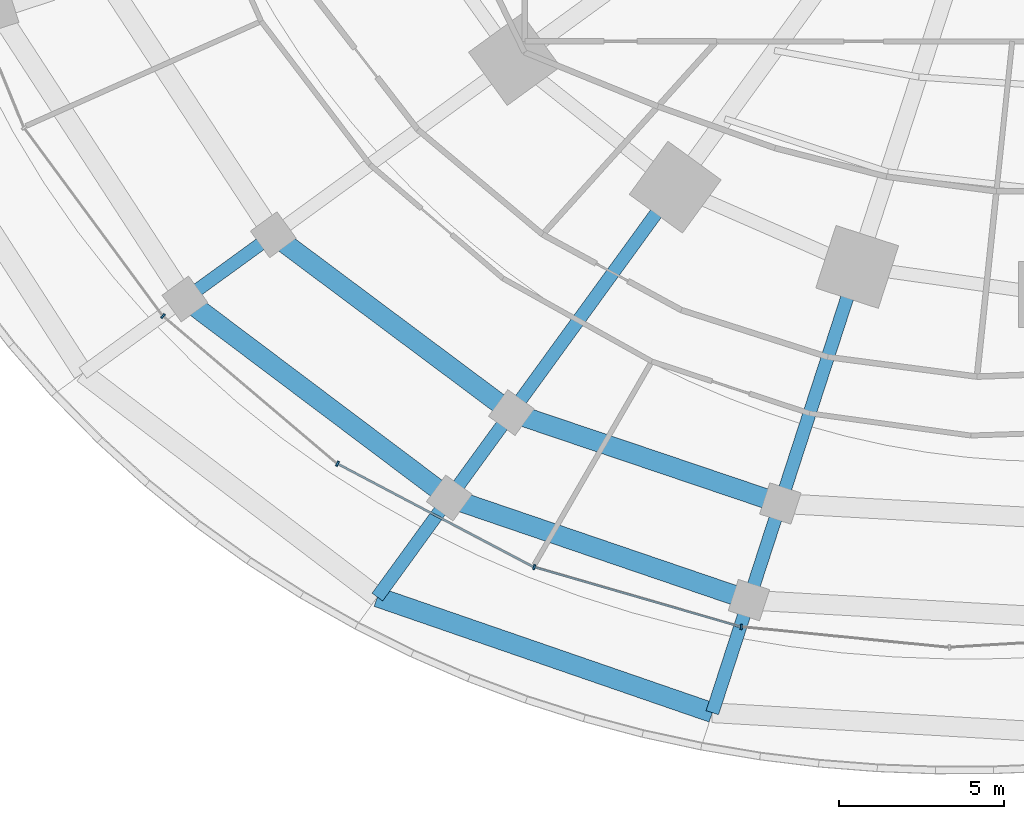
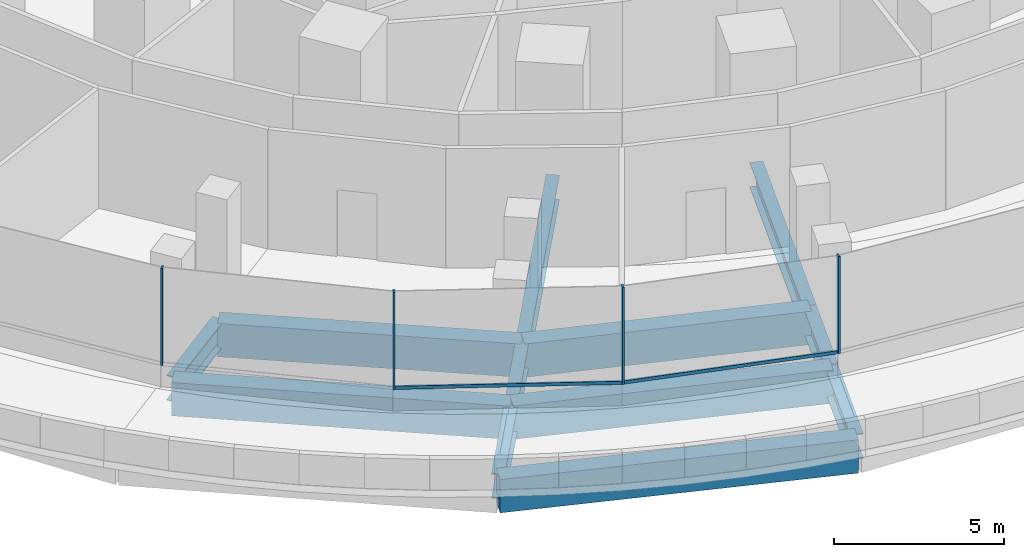
# One storey, part 2 of 27: 12 beams, 6 members, 2 elements without a shape of their own.
"""IFC4 building model written with IfcOpenShell, lengths in metres."""

from ifc_helpers import new_model, si_unit, direction, frame, origin, origin_2d, place, context, subcontext, project, spatial, rectangle, i_section, extrude, material, material_profile, profile_set, type_object, element, aggregate, save


model = new_model("IFC4")

# Units and contexts
model_context = context("Model", 3, precision=1e-05, world=origin(), true_north=direction((0.0, 1.0)))
body_context = subcontext(model_context, "Body", "Model", "MODEL_VIEW")
ifc_project = project(units=[si_unit("LENGTHUNIT", "METRE"), si_unit("AREAUNIT", "SQUARE_METRE"), si_unit("VOLUMEUNIT", "CUBIC_METRE"), si_unit("PLANEANGLEUNIT", "RADIAN"), si_unit("MASSUNIT", "GRAM", prefix="KILO")], contexts=[model_context])

# Site, building, storey
site_placement = place(None, origin())
site = spatial("IfcSite", under=ifc_project, at=site_placement, CompositionType="ELEMENT")
building_placement = place(site_placement, origin())
building = spatial("IfcBuilding", under=site, at=building_placement, Name="Marramba Exchange Tower", CompositionType="ELEMENT")
storey_placement = place(building_placement, frame((0.0, 0.0, 10.60009765625)))
storey = spatial("IfcBuildingStorey", under=building, at=storey_placement, Name="L02", CompositionType="ELEMENT", Elevation=10.60009765625)

# Beams
ifc_material_1 = material(Name="Concrete N50", Category="concrete")
ifc_material_profile_1 = material_profile(ifc_material_1, rectangle(XDim=0.60009765625, YDim=1.199951171875, at=origin_2d()), Name="RC 600x1200")
ifc_profile_set_1 = profile_set([ifc_material_profile_1], Name="Concrete N50")
beam_type_1 = type_object("IfcBeamType", Name="Edge beam RC 600x1200 N50", PredefinedType="SPANDREL", material=ifc_profile_set_1)
beam_1_placement = place(storey_placement, frame((-20.482666015625, -28.19189453125, -0.85009765625), z_axis=(0.945263321131, -0.326308525364, 0.0), x_axis=(0.326308525364, 0.945263321131, 0.0)))
element("IfcBeam", 1, at=beam_1_placement, inside=storey, type_object=beam_type_1, Name="Edge beam L02 P1C14", PredefinedType="SPANDREL", context=body_context, shape_type="SweptSolid", body=[
    extrude(rectangle(XDim=0.60009765625, YDim=1.199951171875, at=origin_2d()), origin(), (0.0, 0.0, 1.0), 10.770263671875),
])
beam_2_placement = place(storey_placement, frame((-26.33203125, -19.13134765625, -0.800048828125), z_axis=(0.799014535073, -0.601311710132, 0.0), x_axis=(0.601311710132, 0.799014535073, 0.0)))
element("IfcBeam", 2, at=beam_2_placement, inside=storey, type_object=beam_type_1, Name="Edge beam L02 P2C13", PredefinedType="SPANDREL", context=body_context, shape_type="SweptSolid", body=[
    extrude(rectangle(XDim=0.60009765625, YDim=1.199951171875, at=origin_2d()), origin(), (0.0, 0.0, 1.0), 10.059326171875),
])
beam_3_placement = place(storey_placement, frame((-18.29443359375, -25.18017578125, -0.800048828125), z_axis=(0.946485697002, -0.322745759649, 0.0), x_axis=(0.322745759649, 0.946485697002, 0.0)))
element("IfcBeam", 3, at=beam_3_placement, inside=storey, type_object=beam_type_1, Name="Edge beam L02 P2C14", PredefinedType="SPANDREL", context=body_context, shape_type="SweptSolid", body=[
    extrude(rectangle(XDim=0.60009765625, YDim=1.199951171875, at=origin_2d()), origin(), (0.0, 0.0, 1.0), 9.618896484375),
])
beam_4_placement = place(storey_placement, frame((-23.644775390625, -17.178955078125, -0.800048828125), z_axis=(0.801143536075, -0.598472250489, 0.0), x_axis=(0.598472250489, 0.801143536075, 0.0)))
element("IfcBeam", 4, at=beam_4_placement, inside=storey, type_object=beam_type_1, Name="Edge beam L02 P3C13", PredefinedType="SPANDREL", context=body_context, shape_type="SweptSolid", body=[
    extrude(rectangle(XDim=0.60009765625, YDim=1.199951171875, at=origin_2d()), origin(), (0.0, 0.0, 1.0), 9.0322265625),
])
beam_5_placement = place(storey_placement, frame((-16.40869140625, -22.58447265625, -0.800048828125), z_axis=(0.947330534482, -0.320257487715, 0.0), x_axis=(0.320257487715, 0.947330534482, 0.0)))
element("IfcBeam", 5, at=beam_5_placement, inside=storey, type_object=beam_type_1, Name="Edge beam L02 P3C14", PredefinedType="SPANDREL", context=body_context, shape_type="SweptSolid", body=[
    extrude(rectangle(XDim=0.60009765625, YDim=1.199951171875, at=origin_2d()), origin(), (0.0, 0.0, 1.0), 8.627197265625),
])

# Curtain wall, members
ifc_material_2 = material(Name="Aluminium framing, bronze anodised", Category="aluminium")
curtain_wall_type = type_object("IfcCurtainWallType", Name="Podium ribbon curtain wall", PredefinedType="USERDEFINED", material=ifc_material_2)
curtain_wall_1_placement = place(storey_placement, origin())
curtain_wall_1 = element("IfcCurtainWall", 6, at=curtain_wall_1_placement, inside=storey, type_object=curtain_wall_type, Name="Curtain wall CW2 L02 F16-F20", ObjectType="RIBBON CURTAIN WALL", PredefinedType="USERDEFINED")
ifc_material_3 = material(Name="Aluminium mullion, bronze anodised", Category="aluminium")
ifc_material_profile_2 = material_profile(ifc_material_3, rectangle(XDim=0.159912109375, YDim=0.06005859375, at=origin_2d()), Name="CW2 mullion 60x160")
ifc_profile_set_2 = profile_set([ifc_material_profile_2], Name="Aluminium mullion, bronze anodised")
member_type_1 = type_object("IfcMemberType", Name="Podium ribbon curtain wall mullion", PredefinedType="MULLION", material=ifc_profile_set_2)
member_1_placement = place(storey_placement, frame((-26.996826171875, -19.650390625, 0.7998046875), z_axis=(0.0, 0.0, 1.0), x_axis=(0.646819349814, 0.762643251269, 0.0)))
member_1 = element("IfcMember", 7, at=member_1_placement, type_object=member_type_1, Name="CW2 mullion 1", PredefinedType="MULLION", context=body_context, shape_type="SweptSolid", body=[
    extrude(rectangle(XDim=0.159912109375, YDim=0.06005859375, at=origin_2d()), origin(), (0.0, 0.0, 1.0), 3.5),
])
member_2_placement = place(storey_placement, frame((-21.695068359375, -24.13818359375, 0.7998046875), z_axis=(0.0, 0.0, 1.0), x_axis=(0.465930364021, 0.88482139208, 0.0)))
member_2 = element("IfcMember", 8, at=member_2_placement, type_object=member_type_1, Name="CW2 mullion 1", PredefinedType="MULLION", context=body_context, shape_type="SweptSolid", body=[
    extrude(rectangle(XDim=0.159912109375, YDim=0.06005859375, at=origin_2d()), origin(), (0.0, 0.0, 1.0), 3.5),
])

curtain_wall_2_placement = place(storey_placement, origin())
curtain_wall_2 = element("IfcCurtainWall", 9, at=curtain_wall_2_placement, inside=storey, type_object=curtain_wall_type, Name="Curtain wall CW2 L02 F21-F24", ObjectType="RIBBON CURTAIN WALL", PredefinedType="USERDEFINED")
member_3_placement = place(storey_placement, frame((-15.71630859375, -27.27978515625, 0.7998046875), z_axis=(0.0, 0.0, 1.0), x_axis=(0.278075301482, 0.96055927808, 0.0)))
member_3 = element("IfcMember", 10, at=member_3_placement, type_object=member_type_1, Name="CW2 mullion 1", PredefinedType="MULLION", context=body_context, shape_type="SweptSolid", body=[
    extrude(rectangle(XDim=0.159912109375, YDim=0.06005859375, at=origin_2d()), origin(), (0.0, 0.0, 1.0), 3.5),
])
member_4_placement = place(storey_placement, frame((-9.423095703125, -29.095947265625, 0.7998046875), z_axis=(0.0, 0.0, 1.0), x_axis=(0.098937491458, 0.995093650258, 0.0)))
member_4 = element("IfcMember", 11, at=member_4_placement, type_object=member_type_1, Name="CW2 mullion 1", PredefinedType="MULLION", context=body_context, shape_type="SweptSolid", body=[
    extrude(rectangle(XDim=0.159912109375, YDim=0.06005859375, at=origin_2d()), origin(), (0.0, 0.0, 1.0), 3.5),
])

# Member
ifc_material_4 = material(Name="Aluminium transom, bronze anodised", Category="aluminium")
ifc_material_profile_3 = material_profile(ifc_material_4, rectangle(XDim=0.06005859375, YDim=0.1201171875, at=origin_2d()), Name="CW2 transom 60x120")
ifc_profile_set_3 = profile_set([ifc_material_profile_3], Name="Aluminium transom, bronze anodised")
member_type_2 = type_object("IfcMemberType", Name="Podium ribbon curtain wall transom", PredefinedType="USERDEFINED", material=ifc_profile_set_3)
member_5_placement = place(storey_placement, frame((-21.66845703125, -24.15234375, 0.829833984375), z_axis=(0.884820107241, -0.465932803978, 0.0), x_axis=(0.465932803978, 0.884820107241, 0.0)))
member_5 = element("IfcMember", 12, at=member_5_placement, type_object=member_type_2, Name="CW2 sill transom", ObjectType="TRANSOM", PredefinedType="USERDEFINED", context=body_context, shape_type="SweptSolid", body=[
    extrude(rectangle(XDim=0.06005859375, YDim=0.1201171875, at=origin_2d()), origin(), (0.0, 0.0, 1.0), 6.6943359375),
])

aggregate(curtain_wall_1, [member_1, member_2, member_5])

member_6_placement = place(storey_placement, frame((-15.6875, -27.2880859375, 0.829833984375), z_axis=(0.960557125788, -0.278082736067, 0.0), x_axis=(0.278082736067, 0.960557125788, 0.0)))
member_6 = element("IfcMember", 13, at=member_6_placement, type_object=member_type_2, Name="CW2 sill transom", ObjectType="TRANSOM", PredefinedType="USERDEFINED", context=body_context, shape_type="SweptSolid", body=[
    extrude(rectangle(XDim=0.06005859375, YDim=0.1201171875, at=origin_2d()), origin(), (0.0, 0.0, 1.0), 6.49072265625),
])

aggregate(curtain_wall_2, [member_3, member_6, member_4])

# Beams
ifc_material_5 = material(Name="Steel AS/NZS 3679.2 grade 300", Category="steel")
ifc_material_profile_4 = material_profile(ifc_material_5, i_section(OverallWidth=0.39990234375, OverallDepth=0.89990234375, WebThickness=0.01611328125, FlangeThickness=0.031982421875, at=origin_2d()), Name="900WB282")
ifc_profile_set_4 = profile_set([ifc_material_profile_4], Name="Steel AS/NZS 3679.2 grade 300")
beam_type_2 = type_object("IfcBeamType", Name="Radial girder 900WB282", PredefinedType="BEAM", material=ifc_profile_set_4)
beam_6_placement = place(storey_placement, frame((-20.482666015625, -28.19189453125, -0.7001953125), z_axis=(0.587801192771, 0.809005412699, 0.0), x_axis=(-0.809005412699, 0.587801192771, 0.0)))
element("IfcBeam", 14, at=beam_6_placement, inside=storey, type_object=beam_type_2, Name="Radial girder L02 P1C14", PredefinedType="BEAM", context=body_context, shape_type="SweptSolid", body=[
    extrude(i_section(OverallWidth=0.39990234375, OverallDepth=0.89990234375, WebThickness=0.01611328125, FlangeThickness=0.031982421875, at=origin_2d()), origin(), (0.0, 0.0, 1.0), 3.72265625),
])
beam_7_placement = place(storey_placement, frame((-10.302001953125, -31.706298828125, -0.7001953125), z_axis=(0.309032367287, 0.951051521196, 0.0), x_axis=(-0.951051521196, 0.309032367287, 0.0)))
element("IfcBeam", 15, at=beam_7_placement, inside=storey, type_object=beam_type_2, Name="Radial girder L02 P1C15", PredefinedType="BEAM", context=body_context, shape_type="SweptSolid", body=[
    extrude(i_section(OverallWidth=0.39990234375, OverallDepth=0.89990234375, WebThickness=0.01611328125, FlangeThickness=0.031982421875, at=origin_2d()), origin(), (0.0, 0.0, 1.0), 3.59765625),
])
beam_8_placement = place(storey_placement, frame((-26.33203125, -19.13134765625, -0.650146484375), z_axis=(0.809018867973, 0.587782673497, 0.0), x_axis=(-0.587782673497, 0.809018867973, 0.0)))
element("IfcBeam", 16, at=beam_8_placement, inside=storey, type_object=beam_type_2, Name="Radial girder L02 P2C13", PredefinedType="BEAM", context=body_context, shape_type="SweptSolid", body=[
    extrude(i_section(OverallWidth=0.39990234375, OverallDepth=0.89990234375, WebThickness=0.01611328125, FlangeThickness=0.031982421875, at=origin_2d()), origin(), (0.0, 0.0, 1.0), 3.321533203125),
])
beam_9_placement = place(storey_placement, frame((-18.29443359375, -25.18017578125, -0.650146484375), z_axis=(0.587755361263, 0.809038710635, 0.0), x_axis=(-0.809038710635, 0.587755361263, 0.0)))
element("IfcBeam", 17, at=beam_9_placement, inside=storey, type_object=beam_type_2, Name="Radial girder L02 P2C14", PredefinedType="BEAM", context=body_context, shape_type="SweptSolid", body=[
    extrude(i_section(OverallWidth=0.39990234375, OverallDepth=0.89990234375, WebThickness=0.01611328125, FlangeThickness=0.031982421875, at=origin_2d()), origin(), (0.0, 0.0, 1.0), 3.20849609375),
])
beam_10_placement = place(storey_placement, frame((-9.190185546875, -28.28466796875, -0.650146484375), z_axis=(0.309009210268, 0.951059045469, 0.0), x_axis=(-0.951059045469, 0.309009210268, 0.0)))
element("IfcBeam", 18, at=beam_10_placement, inside=storey, type_object=beam_type_2, Name="Radial girder L02 P2C15", PredefinedType="BEAM", context=body_context, shape_type="SweptSolid", body=[
    extrude(i_section(OverallWidth=0.39990234375, OverallDepth=0.89990234375, WebThickness=0.01611328125, FlangeThickness=0.031982421875, at=origin_2d()), origin(), (0.0, 0.0, 1.0), 3.08837890625),
])
beam_11_placement = place(storey_placement, frame((-16.40869140625, -22.58447265625, -0.650146484375), z_axis=(0.58779626967, 0.809008989667, 0.0), x_axis=(-0.809008989667, 0.58779626967, 0.0)))
element("IfcBeam", 19, at=beam_11_placement, inside=storey, type_object=beam_type_2, Name="Radial girder L02 P3C14", PredefinedType="BEAM", context=body_context, shape_type="SweptSolid", body=[
    extrude(i_section(OverallWidth=0.39990234375, OverallDepth=0.89990234375, WebThickness=0.01611328125, FlangeThickness=0.031982421875, at=origin_2d()), origin(), (0.0, 0.0, 1.0), 8.469482421875),
])
beam_12_placement = place(storey_placement, frame((-8.23583984375, -25.347412109375, -0.650146484375), z_axis=(0.309001370997, 0.951061592497, 0.0), x_axis=(-0.951061592497, 0.309001370997, 0.0)))
element("IfcBeam", 20, at=beam_12_placement, inside=storey, type_object=beam_type_2, Name="Radial girder L02 P3C15", PredefinedType="BEAM", context=body_context, shape_type="SweptSolid", body=[
    extrude(i_section(OverallWidth=0.39990234375, OverallDepth=0.89990234375, WebThickness=0.01611328125, FlangeThickness=0.031982421875, at=origin_2d()), origin(), (0.0, 0.0, 1.0), 7.560546875),
])

save(model, "model.ifc")
